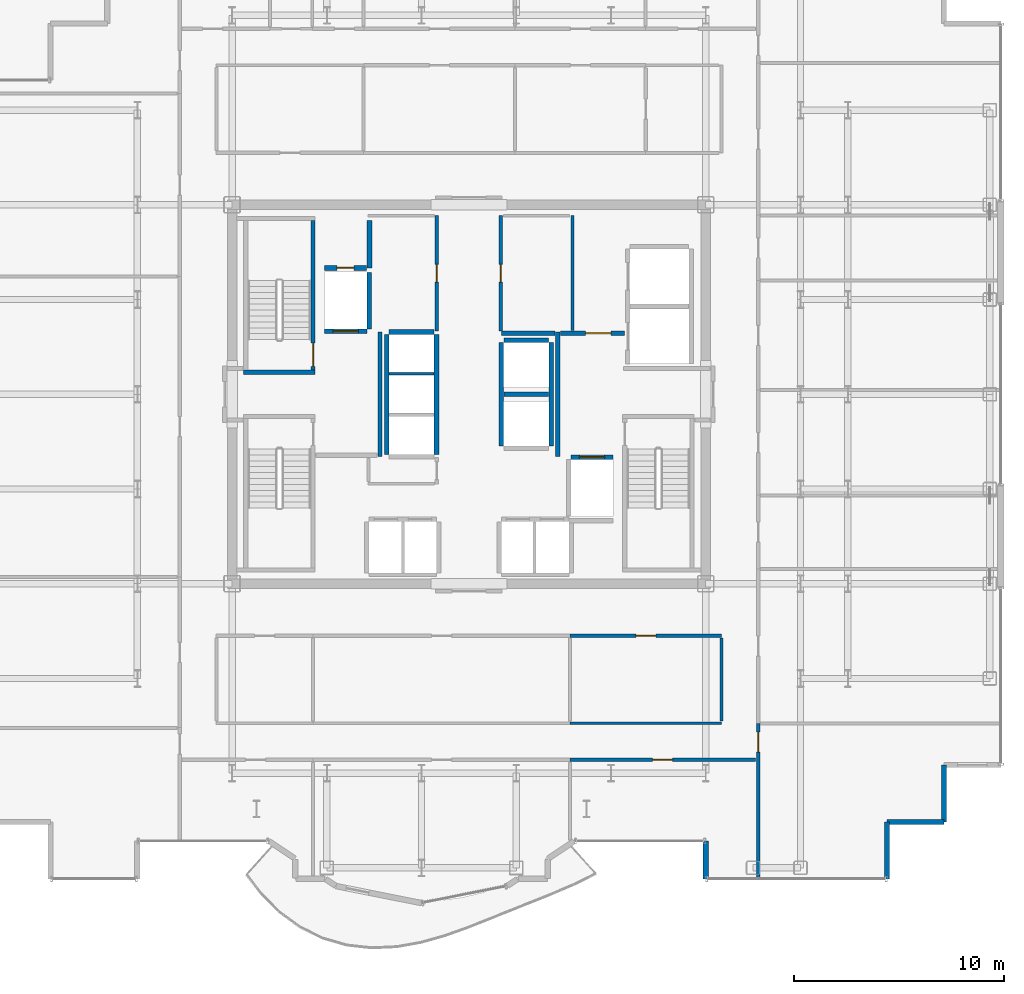
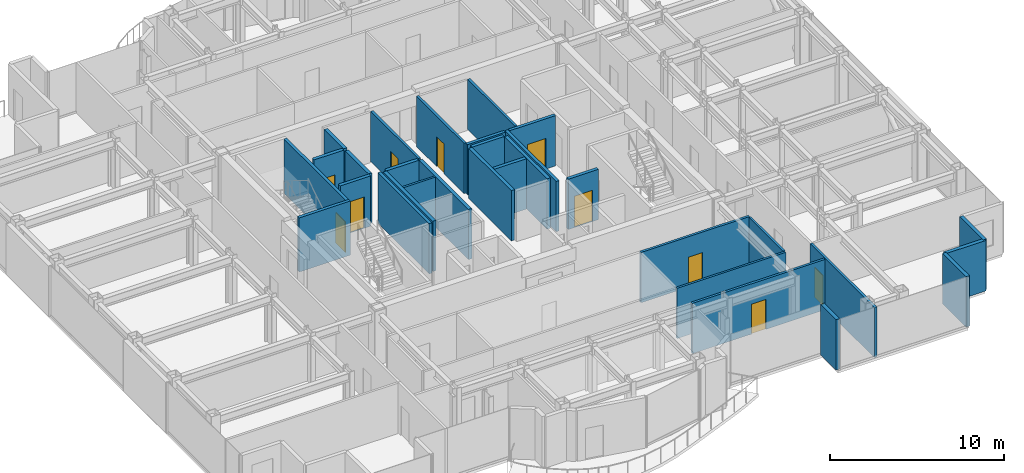
# One storey, part 17 of 22: 31 walls, 10 doors, 10 openings.
"""IFC4 building model written with IfcOpenShell, lengths in metres."""

from ifc_helpers import new_model, si_unit, direction, frame, frame_2d, origin, place, context, subcontext, project, spatial, rectangle, extrude, source, transform, mapped, material, layer, layer_set, type_object, element, fill, save


model = new_model("IFC4")

# Units and contexts
model_context = context("Model", 3, precision=1e-05, world=origin(), true_north=direction((0.0, 1.0)))
body_context = subcontext(model_context, "Body", "Model", "MODEL_VIEW")
ifc_project = project(units=[si_unit("LENGTHUNIT", "METRE"), si_unit("AREAUNIT", "SQUARE_METRE"), si_unit("VOLUMEUNIT", "CUBIC_METRE"), si_unit("PLANEANGLEUNIT", "RADIAN"), si_unit("MASSUNIT", "GRAM", prefix="KILO")], contexts=[model_context])

# Site, building, storey
site_placement = place(None, origin())
site = spatial("IfcSite", under=ifc_project, at=site_placement, CompositionType="ELEMENT")
building_placement = place(site_placement, origin())
building = spatial("IfcBuilding", under=site, at=building_placement, Name="Nefas-Gora Pilgrimage Tower", CompositionType="ELEMENT")
storey_placement = place(building_placement, frame((0.0, 0.0, 240.800048828125)))
storey = spatial("IfcBuildingStorey", under=building, at=storey_placement, Name="L60", CompositionType="ELEMENT", Elevation=240.800048828125)

# Walls
ifc_material_1 = material(Name="Precast concrete C40/50", Category="concrete")
ifc_layer_1 = layer(ifc_material_1, 0.260009765625)
ifc_layer_set_1 = layer_set([ifc_layer_1], Name="Precast concrete C40/50")
wall_type_1 = type_object("IfcWallType", Name="EW-PORTAL-260", PredefinedType="SOLIDWALL", material=ifc_layer_set_1)
shared_shape_1 = source(origin(), body_context, "Body", "SweptSolid", [
    extrude(rectangle(XDim=1.800048828125, YDim=0.260009765625, at=frame_2d((0.89990234375, 0.0))), origin(), (0.0, 0.0, 1.0), 3.550048828125),
])
wall_1_placement = place(storey_placement, frame((11.25, -21.219970703125, 0.0), z_axis=(0.0, 0.0, 1.0), x_axis=(0.0, -1.0, 0.0)))
element("IfcWall", 1, at=wall_1_placement, inside=storey, type_object=wall_type_1, Name="L60 Lobe Shoulder Precast Spandrel Pier 5", PredefinedType="SOLIDWALL", context=body_context, shape_type="MappedRepresentation", body=[
    mapped(shared_shape_1, transform((0.0, 0.0, 0.0), x_axis=(1.0, 0.0, 0.0), y_axis=(0.0, 1.0, 0.0), z_axis=(0.0, 0.0, 1.0), scale=1.0)),
])
ifc_material_2 = material(Name="Precast concrete C45/55", Category="concrete")
ifc_layer_2 = layer(ifc_material_2, 0.239990234375)
ifc_layer_set_2 = layer_set([ifc_layer_2], Name="Precast concrete C45/55")
wall_type_2 = type_object("IfcWallType", Name="EW-SERR-240", PredefinedType="SHEAR", material=ifc_layer_set_2)
shared_shape_2 = source(origin(), body_context, "Body", "SweptSolid", [
    extrude(rectangle(XDim=2.699951171875, YDim=0.239990234375, at=frame_2d((1.35009765625, 0.0))), origin(), (0.0, 0.0, 1.0), 3.550048828125),
])
for number, where, z_axis, x_axis, name in (
    (2, (19.8701171875, -23.02001953125, 0.0), (0.0, 0.0, 1.0), (0.0, 1.0, 0.0), "L60 Serrated Corner Shear Pier Wall 6"),
    (3, (19.8701171875, -20.320068359375, 0.0), (0.0, 0.0, 1.0), (1.0, 0.0, 0.0), "L60 Serrated Corner Shear Pier Wall 7"),
    (4, (22.570068359375, -20.320068359375, 0.0), (0.0, 0.0, 1.0), (0.0, 1.0, 0.0), "L60 Serrated Corner Shear Pier Wall 8"),
):
    element("IfcWall", number, at=place(storey_placement, frame(where, z_axis=z_axis, x_axis=x_axis)), inside=storey, type_object=wall_type_2, Name=name, PredefinedType="SHEAR", context=body_context, shape_type="MappedRepresentation", body=[
        mapped(shared_shape_2, transform((0.0, 0.0, 0.0), x_axis=(1.0, 0.0, 0.0), y_axis=(0.0, 1.0, 0.0), z_axis=(0.0, 0.0, 1.0), scale=1.0)),
    ])
ifc_material_3 = material(Name="Concrete C45/55", Category="concrete")
ifc_layer_3 = layer(ifc_material_3, 0.199951171875)
ifc_layer_set_3 = layer_set([ifc_layer_3], Name="Concrete C45/55")
wall_type_3 = type_object("IfcWallType", Name="IW-STAIR-200", PredefinedType="SOLIDWALL", material=ifc_layer_set_3)
shared_shape_3 = source(origin(), body_context, "Body", "SweptSolid", [
    extrude(rectangle(XDim=3.39990234375, YDim=0.199951171875, at=frame_2d((1.699951171875, 0.0))), origin(), (0.0, 0.0, 1.0), 3.800048828125),
])
wall_2_placement = place(storey_placement, frame((-7.300048828125, 1.050048828125, 0.0), z_axis=(0.0, 0.0, 1.0), x_axis=(-1.0, 0.0, 0.0)))
element("IfcWall", 5, at=wall_2_placement, inside=storey, type_object=wall_type_3, Name="L60 Stairwell Shear Wall ST-01-near", PredefinedType="SOLIDWALL", context=body_context, shape_type="MappedRepresentation", body=[
    mapped(shared_shape_3, transform((0.0, 0.0, 0.0), x_axis=(1.0, 0.0, 0.0), y_axis=(0.0, 1.0, 0.0), z_axis=(0.0, 0.0, 1.0), scale=1.0)),
])

# Wall, opening, door
shared_shape_4 = source(origin(), body_context, "Body", "SweptSolid", [
    extrude(rectangle(XDim=7.10009765625, YDim=0.199951171875, at=frame_2d((3.550048828125, 0.0))), origin(), (0.0, 0.0, 1.0), 3.800048828125),
])
wall_3_placement = place(storey_placement, frame((-7.39990234375, 1.14990234375, 0.0), z_axis=(0.0, 0.0, 1.0), x_axis=(0.0, 1.0, 0.0)))
wall_3 = element("IfcWall", 6, at=wall_3_placement, inside=storey, type_object=wall_type_3, Name="L60 Stairwell Shear Wall ST-01-left", PredefinedType="SOLIDWALL", context=body_context, shape_type="MappedRepresentation", body=[
    mapped(shared_shape_4, transform((0.0, 0.0, 0.0), x_axis=(1.0, 0.0, 0.0), y_axis=(0.0, 1.0, 0.0), z_axis=(0.0, 0.0, 1.0), scale=1.0)),
])
opening_1_placement = place(wall_3_placement, frame((0.179931640625, 0.0, 0.0)))
opening_1 = element("IfcOpeningElement", 7, at=opening_1_placement, cuts=wall_3, Name="Opening ID-ST1", PredefinedType="OPENING", context=body_context, shape_type="SweptSolid", body=[
    extrude(rectangle(XDim=1.10009765625, YDim=2.14990234375, at=frame_2d((0.550048828125, 1.074951171875))), frame((0.0, 0.10986328125, 0.0), z_axis=(0.0, -1.0, 0.0), x_axis=(1.0, 0.0, 0.0)), (0.0, 0.0, 1.0), 0.219970703125),
])
ifc_material_4 = material(Name="Painted galvanised steel fire stair door", Category="steel")
door_type_1 = type_object("IfcDoorType", Name="DR-INT-STAIR-1100", OperationType="NOTDEFINED", PredefinedType="DOOR", material=ifc_material_4)
shared_shape_5 = source(origin(), body_context, "Body", "SweptSolid", [
    extrude(rectangle(XDim=1.10009765625, YDim=2.14990234375, at=frame_2d((0.550048828125, 1.074951171875))), frame((0.0, 0.02490234375, 0.0), z_axis=(0.0, -1.0, 0.0), x_axis=(1.0, 0.0, 0.0)), (0.0, 0.0, 1.0), 0.050048828125),
])
door_1_placement = place(opening_1_placement, origin())
door_1 = element("IfcDoor", 8, at=door_1_placement, inside=storey, type_object=door_type_1, Name="L60 Protected Exit Stair Door ST-01", OperationType="SINGLE_SWING_RIGHT", OverallHeight=2.14990234375, OverallWidth=1.10009765625, PredefinedType="DOOR", context=body_context, shape_type="MappedRepresentation", body=[
    mapped(shared_shape_5, transform((0.0, 0.0, 0.0), x_axis=(1.0, 0.0, 0.0), y_axis=(0.0, 1.0, 0.0), z_axis=(0.0, 0.0, 1.0), scale=1.0)),
])
fill(opening_1, door_1)

ifc_material_5 = material(Name="Concrete C40/50", Category="concrete")
ifc_layer_4 = layer(ifc_material_5, 0.219970703125)
ifc_layer_set_4 = layer_set([ifc_layer_4], Name="Concrete C40/50")
wall_type_4 = type_object("IfcWallType", Name="IW-SHAFT-220", PredefinedType="SOLIDWALL", material=ifc_layer_set_4)
shared_shape_6 = source(origin(), body_context, "Body", "SweptSolid", [
    extrude(rectangle(XDim=2.0, YDim=0.219970703125, at=frame_2d((1.0, 0.0))), origin(), (0.0, 0.0, 1.0), 3.534912109375),
])
wall_4_placement = place(storey_placement, frame((-6.85009765625, 2.989990234375, 0.0), z_axis=(0.0, 0.0, 1.0), x_axis=(1.0, 0.0, 0.0)))
wall_4 = element("IfcWall", 9, at=wall_4_placement, inside=storey, type_object=wall_type_4, Name="L60 Hoistway Wall FFL-01-S", PredefinedType="SOLIDWALL", context=body_context, shape_type="MappedRepresentation", body=[
    mapped(shared_shape_6, transform((0.0, 0.0, 0.0), x_axis=(1.0, 0.0, 0.0), y_axis=(0.0, 1.0, 0.0), z_axis=(0.0, 0.0, 1.0), scale=1.0)),
])
opening_2_placement = place(wall_4_placement, frame((0.39990234375, 0.0, 0.0)))
opening_2 = element("IfcOpeningElement", 10, at=opening_2_placement, cuts=wall_4, Name="Opening LD-FF", PredefinedType="OPENING", context=body_context, shape_type="SweptSolid", body=[
    extrude(rectangle(XDim=1.199951171875, YDim=2.199951171875, at=frame_2d((0.60009765625, 1.10009765625))), frame((0.0, 0.119873046875, 0.0), z_axis=(0.0, -1.0, 0.0), x_axis=(1.0, 0.0, 0.0)), (0.0, 0.0, 1.0), 0.239990234375),
])
ifc_material_6 = material(Name="Fire-service sliding lift landing door")
door_type_2 = type_object("IfcDoorType", Name="DR-LIFT-FSAE-1200", OperationType="SLIDING_TO_LEFT", PredefinedType="DOOR", material=ifc_material_6)
shared_shape_7 = source(origin(), body_context, "Body", "SweptSolid", [
    extrude(rectangle(XDim=1.199951171875, YDim=2.199951171875, at=frame_2d((0.60009765625, 1.10009765625))), frame((0.0, 0.02490234375, 0.0), z_axis=(0.0, -1.0, 0.0), x_axis=(1.0, 0.0, 0.0)), (0.0, 0.0, 1.0), 0.050048828125),
])
door_2_placement = place(opening_2_placement, origin())
door_2 = element("IfcDoor", 11, at=door_2_placement, inside=storey, type_object=door_type_2, Name="L60 Sliding Lift Landing Door FFL-01", OperationType="SLIDING_TO_LEFT", OverallHeight=2.199951171875, OverallWidth=1.199951171875, PredefinedType="DOOR", context=body_context, shape_type="MappedRepresentation", body=[
    mapped(shared_shape_7, transform((0.0, 0.0, 0.0), x_axis=(1.0, 0.0, 0.0), y_axis=(0.0, 1.0, 0.0), z_axis=(0.0, 0.0, 1.0), scale=1.0)),
])
fill(opening_2, door_2)

wall_5_placement = place(storey_placement, frame((6.85009765625, -2.989990234375, 0.0), z_axis=(0.0, 0.0, 1.0), x_axis=(-1.0, 0.0, 0.0)))
wall_5 = element("IfcWall", 12, at=wall_5_placement, inside=storey, type_object=wall_type_4, Name="L60 Hoistway Wall FFL-02-N", PredefinedType="SOLIDWALL", context=body_context, shape_type="MappedRepresentation", body=[
    mapped(shared_shape_6, transform((0.0, 0.0, 0.0), x_axis=(1.0, 0.0, 0.0), y_axis=(0.0, 1.0, 0.0), z_axis=(0.0, 0.0, 1.0), scale=1.0)),
])
opening_3_placement = place(wall_5_placement, frame((0.39990234375, 0.0, 0.0)))
opening_3 = element("IfcOpeningElement", 13, at=opening_3_placement, cuts=wall_5, Name="Opening LD-FF", PredefinedType="OPENING", context=body_context, shape_type="SweptSolid", body=[
    extrude(rectangle(XDim=1.199951171875, YDim=2.199951171875, at=frame_2d((0.60009765625, 1.10009765625))), frame((0.0, 0.119873046875, 0.0), z_axis=(0.0, -1.0, 0.0), x_axis=(1.0, 0.0, 0.0)), (0.0, 0.0, 1.0), 0.239990234375),
])
door_3_placement = place(opening_3_placement, origin())
door_3 = element("IfcDoor", 14, at=door_3_placement, inside=storey, type_object=door_type_2, Name="L60 Sliding Lift Landing Door FFL-02", OperationType="SLIDING_TO_LEFT", OverallHeight=2.199951171875, OverallWidth=1.199951171875, PredefinedType="DOOR", context=body_context, shape_type="MappedRepresentation", body=[
    mapped(shared_shape_7, transform((0.0, 0.0, 0.0), x_axis=(1.0, 0.0, 0.0), y_axis=(0.0, 1.0, 0.0), z_axis=(0.0, 0.0, 1.0), scale=1.0)),
])
fill(opening_3, door_3)

# Walls
shared_shape_8 = source(origin(), body_context, "Body", "SweptSolid", [
    extrude(rectangle(XDim=2.679931640625, YDim=0.219970703125, at=frame_2d((1.33984375, 0.0))), origin(), (0.0, 0.0, 1.0), 3.534912109375),
])
wall_6_placement = place(storey_placement, frame((-4.739990234375, 3.110107421875, 0.0), z_axis=(0.0, 0.0, 1.0), x_axis=(0.0, 1.0, 0.0)))
element("IfcWall", 15, at=wall_6_placement, inside=storey, type_object=wall_type_4, Name="L60 Hoistway Wall FFL-01-E", PredefinedType="SOLIDWALL", context=body_context, shape_type="MappedRepresentation", body=[
    mapped(shared_shape_8, transform((0.0, 0.0, 0.0), x_axis=(1.0, 0.0, 0.0), y_axis=(0.0, 1.0, 0.0), z_axis=(0.0, 0.0, 1.0), scale=1.0)),
])
shared_shape_9 = source(origin(), body_context, "Body", "SweptSolid", [
    extrude(rectangle(XDim=5.7001953125, YDim=0.219970703125, at=frame_2d((2.85009765625, 0.0))), origin(), (0.0, 0.0, 1.0), 3.534912109375),
])
for number, where, z_axis, x_axis, name in (
    (16, (-1.5400390625, -2.85009765625, 0.0), (0.0, 0.0, 1.0), (0.0, 1.0, 0.0), "L60 Hoistway Wall PL3-01-03-E"),
    (17, (-3.909912109375, 2.85009765625, 0.0), (0.0, 0.0, 1.0), (0.0, -1.0, 0.0), "L60 Hoistway Wall PL3-01-03-W"),
):
    element("IfcWall", number, at=place(storey_placement, frame(where, z_axis=z_axis, x_axis=x_axis)), inside=storey, type_object=wall_type_4, Name=name, PredefinedType="SOLIDWALL", context=body_context, shape_type="MappedRepresentation", body=[
        mapped(shared_shape_9, transform((0.0, 0.0, 0.0), x_axis=(1.0, 0.0, 0.0), y_axis=(0.0, 1.0, 0.0), z_axis=(0.0, 0.0, 1.0), scale=1.0)),
    ])
shared_shape_10 = source(origin(), body_context, "Body", "SweptSolid", [
    extrude(rectangle(XDim=2.130126953125, YDim=0.219970703125, at=frame_2d((1.06494140625, 0.0))), origin(), (0.0, 0.0, 1.0), 3.534912109375),
])
for number, where, z_axis, x_axis, name in (
    (18, (-1.659912109375, 2.9599609375, 0.0), (0.0, 0.0, 1.0), (-1.0, 0.0, 0.0), "L60 Hoistway Wall PL3-03-N"),
    (19, (1.659912109375, 0.0, 0.0), (0.0, 0.0, 1.0), (1.0, 0.0, 0.0), "L60 Hoistway Wall OBS-01-02-DIV"),
    (20, (3.7900390625, 2.56005859375, 0.0), (0.0, 0.0, 1.0), (-1.0, 0.0, 0.0), "L60 Hoistway Wall OBS-02-N"),
):
    element("IfcWall", number, at=place(storey_placement, frame(where, z_axis=z_axis, x_axis=x_axis)), inside=storey, type_object=wall_type_4, Name=name, PredefinedType="SOLIDWALL", context=body_context, shape_type="MappedRepresentation", body=[
        mapped(shared_shape_10, transform((0.0, 0.0, 0.0), x_axis=(1.0, 0.0, 0.0), y_axis=(0.0, 1.0, 0.0), z_axis=(0.0, 0.0, 1.0), scale=1.0)),
    ])
ifc_material_7 = material(Name="Gypsum twin-stud partition")
ifc_layer_5 = layer(ifc_material_7, 0.139892578125)
ifc_layer_set_5 = layer_set([ifc_layer_5], Name="Gypsum twin-stud partition")
wall_type_5 = type_object("IfcWallType", Name="IW-UNIT-140", PredefinedType="PARTITIONING", material=ifc_layer_set_5)
shared_shape_11 = source(origin(), body_context, "Body", "SweptSolid", [
    extrude(rectangle(XDim=2.130126953125, YDim=0.139892578125, at=frame_2d((1.06494140625, 0.0))), origin(), (0.0, 0.0, 1.0), 3.534912109375),
])
wall_7_placement = place(storey_placement, frame((-3.7900390625, 0.97509765625, 0.0), z_axis=(0.0, 0.0, 1.0), x_axis=(1.0, 0.0, 0.0)))
element("IfcWall", 21, at=wall_7_placement, inside=storey, type_object=wall_type_5, Name="L60 Hoistway Wall PL3-02-03-DIV", PredefinedType="PARTITIONING", context=body_context, shape_type="MappedRepresentation", body=[
    mapped(shared_shape_11, transform((0.0, 0.0, 0.0), x_axis=(1.0, 0.0, 0.0), y_axis=(0.0, 1.0, 0.0), z_axis=(0.0, 0.0, 1.0), scale=1.0)),
])
shared_shape_12 = source(origin(), body_context, "Body", "SweptSolid", [
    extrude(rectangle(XDim=4.89990234375, YDim=0.219970703125, at=frame_2d((2.449951171875, 0.0))), origin(), (0.0, 0.0, 1.0), 3.534912109375),
])
for number, where, z_axis, x_axis, name in (
    (22, (1.5400390625, 2.449951171875, 0.0), (0.0, 0.0, 1.0), (0.0, -1.0, 0.0), "L60 Hoistway Wall OBS-01-02-W"),
    (23, (3.909912109375, -2.449951171875, 0.0), (0.0, 0.0, 1.0), (0.0, 1.0, 0.0), "L60 Hoistway Wall OBS-01-02-E"),
):
    element("IfcWall", number, at=place(storey_placement, frame(where, z_axis=z_axis, x_axis=x_axis)), inside=storey, type_object=wall_type_4, Name=name, PredefinedType="SOLIDWALL", context=body_context, shape_type="MappedRepresentation", body=[
        mapped(shared_shape_12, transform((0.0, 0.0, 0.0), x_axis=(1.0, 0.0, 0.0), y_axis=(0.0, 1.0, 0.0), z_axis=(0.0, 0.0, 1.0), scale=1.0)),
    ])
ifc_material_8 = material(Name="Gypsum fire-rated shaftwall")
ifc_layer_6 = layer(ifc_material_8, 0.199951171875)
ifc_layer_set_6 = layer_set([ifc_layer_6], Name="Gypsum fire-rated shaftwall")
wall_type_6 = type_object("IfcWallType", Name="IW-FFLOB-200", PredefinedType="PARTITIONING", material=ifc_layer_set_6)
shared_shape_13 = source(origin(), body_context, "Body", "SweptSolid", [
    extrude(rectangle(XDim=5.89990234375, YDim=0.199951171875, at=frame_2d((2.949951171875, 0.0))), origin(), (0.0, 0.0, 1.0), 3.534912109375),
])
for number, where, z_axis, x_axis, name in (
    (24, (-4.219970703125, -2.949951171875, 0.0), (0.0, 0.0, 1.0), (0.0, 1.0, 0.0), "L60 FF Lobby West Inner Wall Wall 5"),
    (25, (4.219970703125, -2.949951171875, 0.0), (0.0, 0.0, 1.0), (0.0, 1.0, 0.0), "L60 FF Lobby East Inner Wall Wall 10"),
):
    element("IfcWall", number, at=place(storey_placement, frame(where, z_axis=z_axis, x_axis=x_axis)), inside=storey, type_object=wall_type_6, Name=name, PredefinedType="PARTITIONING", context=body_context, shape_type="MappedRepresentation", body=[
        mapped(shared_shape_13, transform((0.0, 0.0, 0.0), x_axis=(1.0, 0.0, 0.0), y_axis=(0.0, 1.0, 0.0), z_axis=(0.0, 0.0, 1.0), scale=1.0)),
    ])

# Wall, opening, door
shared_shape_14 = source(origin(), body_context, "Body", "SweptSolid", [
    extrude(rectangle(XDim=3.039794921875, YDim=0.199951171875, at=frame_2d((1.52001953125, 0.0))), origin(), (0.0, 0.0, 1.0), 3.534912109375),
])
wall_8_placement = place(storey_placement, frame((4.360107421875, 2.89990234375, 0.0), z_axis=(0.0, 0.0, 1.0), x_axis=(1.0, 0.0, 0.0)))
wall_8 = element("IfcWall", 26, at=wall_8_placement, inside=storey, type_object=wall_type_6, Name="L60 FF Lobby East North Wall Wall 12", PredefinedType="PARTITIONING", context=body_context, shape_type="MappedRepresentation", body=[
    mapped(shared_shape_14, transform((0.0, 0.0, 0.0), x_axis=(1.0, 0.0, 0.0), y_axis=(0.0, 1.0, 0.0), z_axis=(0.0, 0.0, 1.0), scale=1.0)),
])
opening_4_placement = place(wall_8_placement, frame((1.18994140625, 0.0, 0.0)))
opening_4 = element("IfcOpeningElement", 27, at=opening_4_placement, cuts=wall_8, Name="Opening ID-PL1", PredefinedType="OPENING", context=body_context, shape_type="SweptSolid", body=[
    extrude(rectangle(XDim=1.199951171875, YDim=2.14990234375, at=frame_2d((0.60009765625, 1.074951171875))), frame((0.0, 0.10986328125, 0.0), z_axis=(0.0, -1.0, 0.0), x_axis=(1.0, 0.0, 0.0)), (0.0, 0.0, 1.0), 0.219970703125),
])
ifc_material_9 = material(Name="Heavy-duty steel plant room fire door", Category="steel")
door_type_3 = type_object("IfcDoorType", Name="DR-INT-PLANT-1200", OperationType="NOTDEFINED", PredefinedType="DOOR", material=ifc_material_9)
shared_shape_15 = source(origin(), body_context, "Body", "SweptSolid", [
    extrude(rectangle(XDim=1.199951171875, YDim=2.14990234375, at=frame_2d((0.60009765625, 1.074951171875))), frame((0.0, 0.02490234375, 0.0), z_axis=(0.0, -1.0, 0.0), x_axis=(1.0, 0.0, 0.0)), (0.0, 0.0, 1.0), 0.050048828125),
])
door_4_placement = place(opening_4_placement, origin())
door_4 = element("IfcDoor", 28, at=door_4_placement, inside=storey, type_object=door_type_3, Name="L60 Service Lift Lobby Door Door 4", OperationType="SINGLE_SWING_RIGHT", OverallHeight=2.14990234375, OverallWidth=1.199951171875, PredefinedType="DOOR", context=body_context, shape_type="MappedRepresentation", body=[
    mapped(shared_shape_15, transform((0.0, 0.0, 0.0), x_axis=(1.0, 0.0, 0.0), y_axis=(0.0, 1.0, 0.0), z_axis=(0.0, 0.0, 1.0), scale=1.0)),
])
fill(opening_4, door_4)

# Walls
shared_shape_16 = source(origin(), body_context, "Body", "SweptSolid", [
    extrude(rectangle(XDim=3.929931640625, YDim=0.139892578125, at=frame_2d((1.96484375, 0.0))), origin(), (0.0, 0.0, 1.0), 3.534912109375),
])
wall_9_placement = place(storey_placement, frame((12.0, -15.52001953125, 0.0), z_axis=(0.0, 0.0, 1.0), x_axis=(0.0, 1.0, 0.0)))
element("IfcWall", 29, at=wall_9_placement, inside=storey, type_object=wall_type_5, Name="L60 Pilgrim Contemplative Lounge Partition Wall 87", PredefinedType="PARTITIONING", context=body_context, shape_type="MappedRepresentation", body=[
    mapped(shared_shape_16, transform((0.0, 0.0, 0.0), x_axis=(1.0, 0.0, 0.0), y_axis=(0.0, 1.0, 0.0), z_axis=(0.0, 0.0, 1.0), scale=1.0)),
])
shared_shape_17 = source(origin(), body_context, "Body", "SweptSolid", [
    extrude(rectangle(XDim=2.25, YDim=0.219970703125, at=frame_2d((1.125, 0.0))), origin(), (0.0, 0.0, 1.0), 3.534912109375),
])
wall_10_placement = place(storey_placement, frame((-4.719970703125, 6.0, 0.0), z_axis=(0.0, 0.0, 1.0), x_axis=(0.0, 1.0, 0.0)))
element("IfcWall", 30, at=wall_10_placement, inside=storey, type_object=wall_type_4, Name="L60 Riser Shaft Wall 1", PredefinedType="SOLIDWALL", context=body_context, shape_type="MappedRepresentation", body=[
    mapped(shared_shape_17, transform((0.0, 0.0, 0.0), x_axis=(1.0, 0.0, 0.0), y_axis=(0.0, 1.0, 0.0), z_axis=(0.0, 0.0, 1.0), scale=1.0)),
])

# Wall, opening, door
shared_shape_18 = source(origin(), body_context, "Body", "SweptSolid", [
    extrude(rectangle(XDim=1.97998046875, YDim=0.219970703125, at=frame_2d((0.989990234375, 0.0))), origin(), (0.0, 0.0, 1.0), 3.534912109375),
])
wall_11_placement = place(storey_placement, frame((-6.85009765625, 6.0, 0.0), z_axis=(0.0, 0.0, 1.0), x_axis=(1.0, 0.0, 0.0)))
wall_11 = element("IfcWall", 31, at=wall_11_placement, inside=storey, type_object=wall_type_4, Name="L60 Riser Shaft Wall 2", PredefinedType="SOLIDWALL", context=body_context, shape_type="MappedRepresentation", body=[
    mapped(shared_shape_18, transform((0.0, 0.0, 0.0), x_axis=(1.0, 0.0, 0.0), y_axis=(0.0, 1.0, 0.0), z_axis=(0.0, 0.0, 1.0), scale=1.0)),
])
opening_5_placement = place(wall_11_placement, frame((0.590087890625, 0.0, 0.0)))
opening_5 = element("IfcOpeningElement", 32, at=opening_5_placement, cuts=wall_11, Name="Opening ID-TR1", PredefinedType="OPENING", context=body_context, shape_type="SweptSolid", body=[
    extrude(rectangle(XDim=0.800048828125, YDim=2.0, at=frame_2d((0.39990234375, 1.0))), frame((0.0, 0.119873046875, 0.0), z_axis=(0.0, -1.0, 0.0), x_axis=(1.0, 0.0, 0.0)), (0.0, 0.0, 1.0), 0.239990234375),
])
ifc_material_10 = material(Name="Riser maintenance fire access door")
door_type_4 = type_object("IfcDoorType", Name="DR-INT-TRAP-800", OperationType="NOTDEFINED", PredefinedType="TRAPDOOR", material=ifc_material_10)
shared_shape_19 = source(origin(), body_context, "Body", "SweptSolid", [
    extrude(rectangle(XDim=0.800048828125, YDim=2.0, at=frame_2d((0.39990234375, 1.0))), frame((0.0, 0.02490234375, 0.0), z_axis=(0.0, -1.0, 0.0), x_axis=(1.0, 0.0, 0.0)), (0.0, 0.0, 1.0), 0.050048828125),
])
door_5_placement = place(opening_5_placement, origin())
door_5 = element("IfcDoor", 33, at=door_5_placement, inside=storey, type_object=door_type_4, Name="L60 Riser Shaft Door 1", OperationType="SINGLE_SWING_LEFT", OverallHeight=2.0, OverallWidth=0.800048828125, PredefinedType="TRAPDOOR", context=body_context, shape_type="MappedRepresentation", body=[
    mapped(shared_shape_19, transform((0.0, 0.0, 0.0), x_axis=(1.0, 0.0, 0.0), y_axis=(0.0, 1.0, 0.0), z_axis=(0.0, 0.0, 1.0), scale=1.0)),
])
fill(opening_5, door_5)

# Walls
shared_shape_20 = source(origin(), body_context, "Body", "SweptSolid", [
    extrude(rectangle(XDim=2.52001953125, YDim=0.199951171875, at=frame_2d((1.260009765625, 0.0))), origin(), (0.0, 0.0, 1.0), 3.534912109375),
])
wall_12_placement = place(storey_placement, frame((1.56005859375, 2.89990234375, 0.0), z_axis=(0.0, 0.0, 1.0), x_axis=(1.0, 0.0, 0.0)))
element("IfcWall", 34, at=wall_12_placement, inside=storey, type_object=wall_type_6, Name="L60 FF Lobby East North Wall Wall 11", PredefinedType="PARTITIONING", context=body_context, shape_type="MappedRepresentation", body=[
    mapped(shared_shape_20, transform((0.0, 0.0, 0.0), x_axis=(1.0, 0.0, 0.0), y_axis=(0.0, 1.0, 0.0), z_axis=(0.0, 0.0, 1.0), scale=1.0)),
])
ifc_material_11 = material(Name="Gypsum acoustic stud partition")
ifc_layer_7 = layer(ifc_material_11, 0.159912109375)
ifc_layer_set_7 = layer_set([ifc_layer_7], Name="Gypsum acoustic stud partition")
wall_type_7 = type_object("IfcWallType", Name="IW-CORR-160", PredefinedType="PARTITIONING", material=ifc_layer_set_7)
shared_shape_21 = source(origin(), body_context, "Body", "SweptSolid", [
    extrude(rectangle(XDim=5.449951171875, YDim=0.159912109375, at=frame_2d((2.72509765625, 0.0))), origin(), (0.0, 0.0, 1.0), 3.534912109375),
])
wall_13_placement = place(storey_placement, frame((4.919921875, 3.0400390625, 0.0), z_axis=(0.0, 0.0, 1.0), x_axis=(0.0, 1.0, 0.0)))
element("IfcWall", 35, at=wall_13_placement, inside=storey, type_object=wall_type_7, Name="L60 Service Lift Lobby West Wall Wall 17", PredefinedType="PARTITIONING", context=body_context, shape_type="MappedRepresentation", body=[
    mapped(shared_shape_21, transform((0.0, 0.0, 0.0), x_axis=(1.0, 0.0, 0.0), y_axis=(0.0, 1.0, 0.0), z_axis=(0.0, 0.0, 1.0), scale=1.0)),
])

# Wall, opening, door
shared_shape_22 = source(origin(), body_context, "Body", "SweptSolid", [
    extrude(rectangle(XDim=5.47998046875, YDim=0.159912109375, at=frame_2d((2.739990234375, 0.0))), origin(), (0.0, 0.0, 1.0), 3.534912109375),
])
wall_14_placement = place(storey_placement, frame((-1.52001953125, 3.010009765625, 0.0), z_axis=(0.0, 0.0, 1.0), x_axis=(0.0, 1.0, 0.0)))
wall_14 = element("IfcWall", 36, at=wall_14_placement, inside=storey, type_object=wall_type_7, Name="L60 Housekeeping and Linen Store Wall 18", PredefinedType="PARTITIONING", context=body_context, shape_type="MappedRepresentation", body=[
    mapped(shared_shape_22, transform((0.0, 0.0, 0.0), x_axis=(1.0, 0.0, 0.0), y_axis=(0.0, 1.0, 0.0), z_axis=(0.0, 0.0, 1.0), scale=1.0)),
])
opening_6_placement = place(wall_14_placement, frame((2.31494140625, 0.0, 0.0)))
opening_6 = element("IfcOpeningElement", 37, at=opening_6_placement, cuts=wall_14, Name="Opening ID-BT1", PredefinedType="OPENING", context=body_context, shape_type="SweptSolid", body=[
    extrude(rectangle(XDim=0.85009765625, YDim=2.10009765625, at=frame_2d((0.425048828125, 1.050048828125))), frame((0.0, 0.08984375, 0.0), z_axis=(0.0, -1.0, 0.0), x_axis=(1.0, 0.0, 0.0)), (0.0, 0.0, 1.0), 0.179931640625),
])
ifc_material_12 = material(Name="Moisture-resistant fire-rated timber door", Category="wood")
door_type_5 = type_object("IfcDoorType", Name="DR-INT-BATH-850", OperationType="NOTDEFINED", PredefinedType="DOOR", material=ifc_material_12)
shared_shape_23 = source(origin(), body_context, "Body", "SweptSolid", [
    extrude(rectangle(XDim=0.85009765625, YDim=2.10009765625, at=frame_2d((0.425048828125, 1.050048828125))), frame((0.0, 0.02490234375, 0.0), z_axis=(0.0, -1.0, 0.0), x_axis=(1.0, 0.0, 0.0)), (0.0, 0.0, 1.0), 0.050048828125),
])
door_6_placement = place(opening_6_placement, origin())
door_6 = element("IfcDoor", 38, at=door_6_placement, inside=storey, type_object=door_type_5, Name="L60 Housekeeping and Linen Store Door 7", OperationType="SINGLE_SWING_LEFT", OverallHeight=2.10009765625, OverallWidth=0.85009765625, PredefinedType="DOOR", context=body_context, shape_type="MappedRepresentation", body=[
    mapped(shared_shape_23, transform((0.0, 0.0, 0.0), x_axis=(1.0, 0.0, 0.0), y_axis=(0.0, 1.0, 0.0), z_axis=(0.0, 0.0, 1.0), scale=1.0)),
])
fill(opening_6, door_6)

wall_15_placement = place(storey_placement, frame((1.52001953125, 3.010009765625, 0.0), z_axis=(0.0, 0.0, 1.0), x_axis=(0.0, 1.0, 0.0)))
wall_15 = element("IfcWall", 39, at=wall_15_placement, inside=storey, type_object=wall_type_7, Name="L60 Freed Bank-1 Amenity Supply Store Wall 23", PredefinedType="PARTITIONING", context=body_context, shape_type="MappedRepresentation", body=[
    mapped(shared_shape_22, transform((0.0, 0.0, 0.0), x_axis=(1.0, 0.0, 0.0), y_axis=(0.0, 1.0, 0.0), z_axis=(0.0, 0.0, 1.0), scale=1.0)),
])
opening_7_placement = place(wall_15_placement, frame((2.31494140625, 0.0, 0.0)))
opening_7 = element("IfcOpeningElement", 40, at=opening_7_placement, cuts=wall_15, Name="Opening ID-BT1", PredefinedType="OPENING", context=body_context, shape_type="SweptSolid", body=[
    extrude(rectangle(XDim=0.85009765625, YDim=2.10009765625, at=frame_2d((0.425048828125, 1.050048828125))), frame((0.0, 0.08984375, 0.0), z_axis=(0.0, -1.0, 0.0), x_axis=(1.0, 0.0, 0.0)), (0.0, 0.0, 1.0), 0.179931640625),
])
door_7_placement = place(opening_7_placement, origin())
door_7 = element("IfcDoor", 41, at=door_7_placement, inside=storey, type_object=door_type_5, Name="L60 Freed Bank-1 Amenity Supply Store Door 9", OperationType="SINGLE_SWING_LEFT", OverallHeight=2.10009765625, OverallWidth=0.85009765625, PredefinedType="DOOR", context=body_context, shape_type="MappedRepresentation", body=[
    mapped(shared_shape_23, transform((0.0, 0.0, 0.0), x_axis=(1.0, 0.0, 0.0), y_axis=(0.0, 1.0, 0.0), z_axis=(0.0, 0.0, 1.0), scale=1.0)),
])
fill(opening_7, door_7)

shared_shape_24 = source(origin(), body_context, "Body", "SweptSolid", [
    extrude(rectangle(XDim=7.215087890625, YDim=0.159912109375, at=frame_2d((3.607421875, 0.0))), origin(), (0.0, 0.0, 1.0), 3.534912109375),
])
wall_16_placement = place(storey_placement, frame((4.794921875, -11.469970703125, 0.0), z_axis=(0.0, 0.0, 1.0), x_axis=(1.0, 0.0, 0.0)))
wall_16 = element("IfcWall", 42, at=wall_16_placement, inside=storey, type_object=wall_type_7, Name="L60 Pilgrim Contemplative Lounge Partition Wall 85", PredefinedType="PARTITIONING", context=body_context, shape_type="MappedRepresentation", body=[
    mapped(shared_shape_24, transform((0.0, 0.0, 0.0), x_axis=(1.0, 0.0, 0.0), y_axis=(0.0, 1.0, 0.0), z_axis=(0.0, 0.0, 1.0), scale=1.0)),
])
opening_8_placement = place(wall_16_placement, frame((3.132568359375, 0.0, 0.0)))
opening_8 = element("IfcOpeningElement", 43, at=opening_8_placement, cuts=wall_16, Name="Opening ID-GR1", PredefinedType="OPENING", context=body_context, shape_type="SweptSolid", body=[
    extrude(rectangle(XDim=0.949951171875, YDim=2.10009765625, at=frame_2d((0.47509765625, 1.050048828125))), frame((0.0, 0.08984375, 0.0), z_axis=(0.0, -1.0, 0.0), x_axis=(1.0, 0.0, 0.0)), (0.0, 0.0, 1.0), 0.179931640625),
])
ifc_material_13 = material(Name="Solid core oak fire-rated guest entrance door")
door_type_6 = type_object("IfcDoorType", Name="DR-INT-GUEST-950", OperationType="NOTDEFINED", PredefinedType="DOOR", material=ifc_material_13)
shared_shape_25 = source(origin(), body_context, "Body", "SweptSolid", [
    extrude(rectangle(XDim=0.949951171875, YDim=2.10009765625, at=frame_2d((0.47509765625, 1.050048828125))), frame((0.0, 0.02490234375, 0.0), z_axis=(0.0, -1.0, 0.0), x_axis=(1.0, 0.0, 0.0)), (0.0, 0.0, 1.0), 0.050048828125),
])
door_8_placement = place(opening_8_placement, origin())
door_8 = element("IfcDoor", 44, at=door_8_placement, inside=storey, type_object=door_type_6, Name="L60 Pilgrim Contemplative Lounge Door 38", OperationType="SINGLE_SWING_RIGHT", OverallHeight=2.10009765625, OverallWidth=0.949951171875, PredefinedType="DOOR", context=body_context, shape_type="MappedRepresentation", body=[
    mapped(shared_shape_25, transform((0.0, 0.0, 0.0), x_axis=(1.0, 0.0, 0.0), y_axis=(0.0, 1.0, 0.0), z_axis=(0.0, 0.0, 1.0), scale=1.0)),
])
fill(opening_8, door_8)

# Wall
shared_shape_26 = source(origin(), body_context, "Body", "SweptSolid", [
    extrude(rectangle(XDim=7.215087890625, YDim=0.139892578125, at=frame_2d((3.607421875, 0.0))), origin(), (0.0, 0.0, 1.0), 3.534912109375),
])
wall_17_placement = place(storey_placement, frame((4.794921875, -15.6298828125, 0.0), z_axis=(0.0, 0.0, 1.0), x_axis=(1.0, 0.0, 0.0)))
element("IfcWall", 45, at=wall_17_placement, inside=storey, type_object=wall_type_5, Name="L60 Pilgrim Contemplative Lounge Partition Wall 86", PredefinedType="PARTITIONING", context=body_context, shape_type="MappedRepresentation", body=[
    mapped(shared_shape_26, transform((0.0, 0.0, 0.0), x_axis=(1.0, 0.0, 0.0), y_axis=(0.0, 1.0, 0.0), z_axis=(0.0, 0.0, 1.0), scale=1.0)),
])

# Wall, opening, door
shared_shape_27 = source(origin(), body_context, "Body", "SweptSolid", [
    extrude(rectangle(XDim=7.402587890625, YDim=0.159912109375, at=frame_2d((3.701171875, 0.0))), origin(), (0.0, 0.0, 1.0), 3.534912109375),
])
wall_18_placement = place(storey_placement, frame((13.739990234375, -23.0400390625, 0.0), z_axis=(0.0, 0.0, 1.0), x_axis=(0.0, 1.0, 0.0)))
wall_18 = element("IfcWall", 46, at=wall_18_placement, inside=storey, type_object=wall_type_7, Name="L60 Pilgrim Tea and Beverage Pantry Partition Wall 37", PredefinedType="PARTITIONING", context=body_context, shape_type="MappedRepresentation", body=[
    mapped(shared_shape_27, transform((0.0, 0.0, 0.0), x_axis=(1.0, 0.0, 0.0), y_axis=(0.0, 1.0, 0.0), z_axis=(0.0, 0.0, 1.0), scale=1.0)),
])
opening_9_placement = place(wall_18_placement, frame((6.041259765625, 0.0, 0.0)))
opening_9 = element("IfcOpeningElement", 47, at=opening_9_placement, cuts=wall_18, Name="Opening ID-GR1", PredefinedType="OPENING", context=body_context, shape_type="SweptSolid", body=[
    extrude(rectangle(XDim=0.949951171875, YDim=2.10009765625, at=frame_2d((0.47509765625, 1.050048828125))), frame((0.0, 0.08984375, 0.0), z_axis=(0.0, -1.0, 0.0), x_axis=(1.0, 0.0, 0.0)), (0.0, 0.0, 1.0), 0.179931640625),
])
door_9_placement = place(opening_9_placement, origin())
door_9 = element("IfcDoor", 48, at=door_9_placement, inside=storey, type_object=door_type_6, Name="L60 Pilgrim Tea and Beverage Pantry Door 16", OperationType="SINGLE_SWING_RIGHT", OverallHeight=2.10009765625, OverallWidth=0.949951171875, PredefinedType="DOOR", context=body_context, shape_type="MappedRepresentation", body=[
    mapped(shared_shape_25, transform((0.0, 0.0, 0.0), x_axis=(1.0, 0.0, 0.0), y_axis=(0.0, 1.0, 0.0), z_axis=(0.0, 0.0, 1.0), scale=1.0)),
])
fill(opening_9, door_9)

shared_shape_28 = source(origin(), body_context, "Body", "SweptSolid", [
    extrude(rectangle(XDim=8.8251953125, YDim=0.159912109375, at=frame_2d((4.41259765625, 0.0))), origin(), (0.0, 0.0, 1.0), 3.534912109375),
])
wall_19_placement = place(storey_placement, frame((4.794921875, -17.3701171875, 0.0), z_axis=(0.0, 0.0, 1.0), x_axis=(1.0, 0.0, 0.0)))
wall_19 = element("IfcWall", 49, at=wall_19_placement, inside=storey, type_object=wall_type_7, Name="L60 Pilgrim Contemplative Lounge Partition Wall 84", PredefinedType="PARTITIONING", context=body_context, shape_type="MappedRepresentation", body=[
    mapped(shared_shape_28, transform((0.0, 0.0, 0.0), x_axis=(1.0, 0.0, 0.0), y_axis=(0.0, 1.0, 0.0), z_axis=(0.0, 0.0, 1.0), scale=1.0)),
])
opening_10_placement = place(wall_19_placement, frame((3.9375, 0.0, 0.0)))
opening_10 = element("IfcOpeningElement", 50, at=opening_10_placement, cuts=wall_19, Name="Opening ID-GR1", PredefinedType="OPENING", context=body_context, shape_type="SweptSolid", body=[
    extrude(rectangle(XDim=0.949951171875, YDim=2.10009765625, at=frame_2d((0.47509765625, 1.050048828125))), frame((0.0, 0.08984375, 0.0), z_axis=(0.0, -1.0, 0.0), x_axis=(1.0, 0.0, 0.0)), (0.0, 0.0, 1.0), 0.179931640625),
])
door_10_placement = place(opening_10_placement, origin())
door_10 = element("IfcDoor", 51, at=door_10_placement, inside=storey, type_object=door_type_6, Name="L60 Pilgrim Contemplative Lounge Door 37", OperationType="SINGLE_SWING_LEFT", OverallHeight=2.10009765625, OverallWidth=0.949951171875, PredefinedType="DOOR", context=body_context, shape_type="MappedRepresentation", body=[
    mapped(shared_shape_25, transform((0.0, 0.0, 0.0), x_axis=(1.0, 0.0, 0.0), y_axis=(0.0, 1.0, 0.0), z_axis=(0.0, 0.0, 1.0), scale=1.0)),
])
fill(opening_10, door_10)

save(model, "model.ifc")
